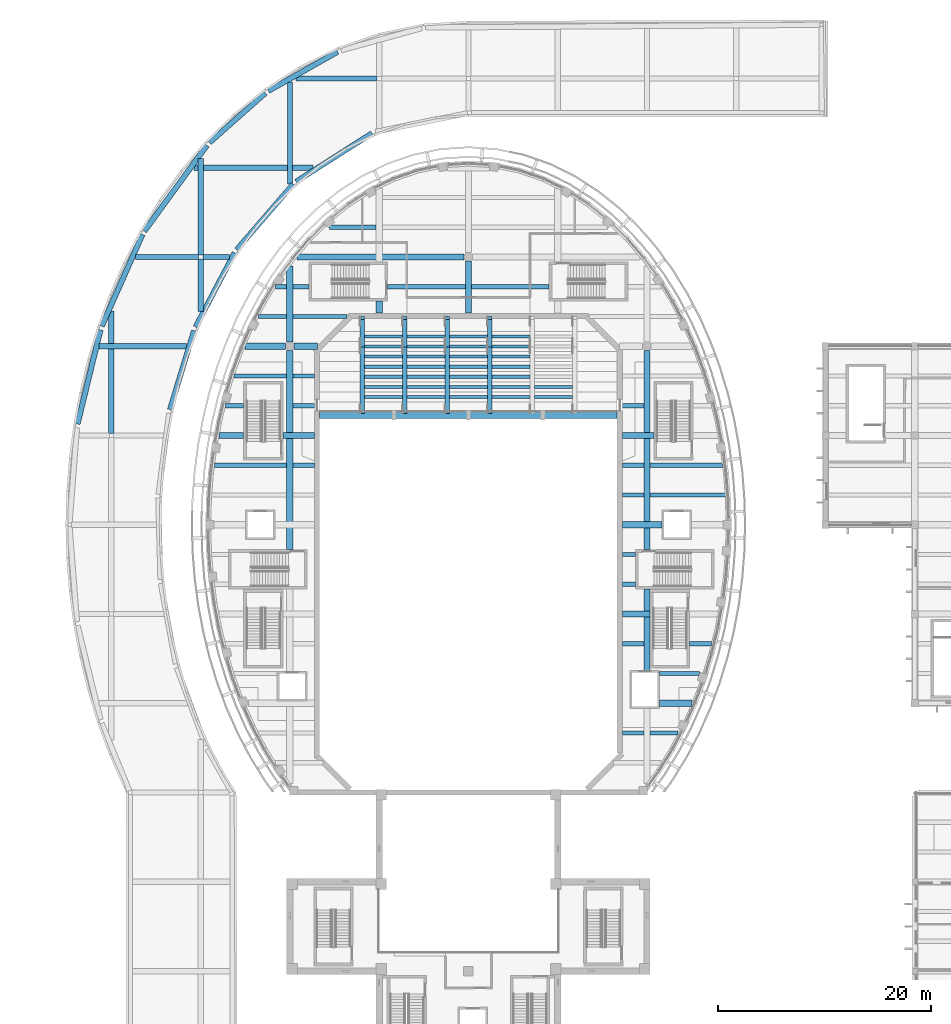
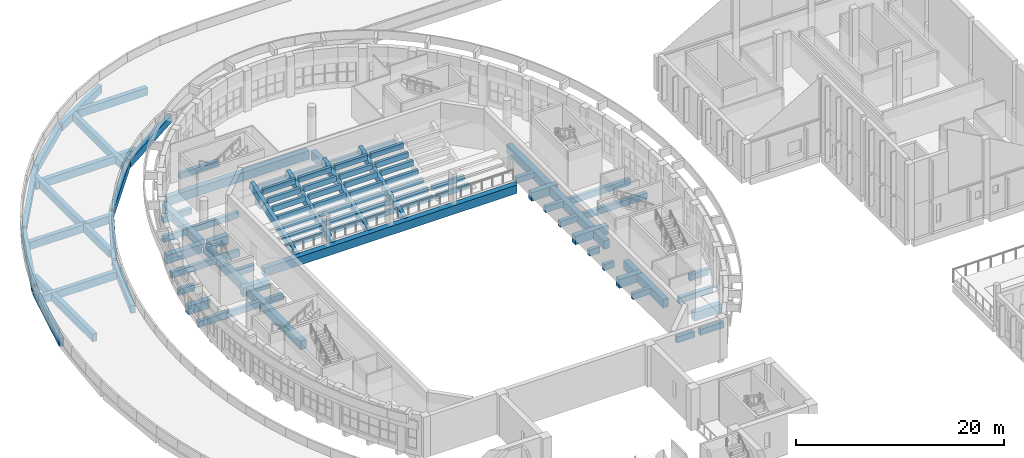
# One storey, part 4 of 79: 97 beams.
"""IFC4 building model written with IfcOpenShell, lengths in metres."""

from ifc_helpers import new_model, si_unit, direction, frame, origin, origin_2d, place, context, subcontext, project, spatial, rectangle, extrude, material, material_profile, profile_set, type_object, element, save


model = new_model("IFC4")

# Units and contexts
model_context = context("Model", 3, precision=1e-05, world=origin(), true_north=direction((0.0, 1.0)))
body_context = subcontext(model_context, "Body", "Model", "MODEL_VIEW")
ifc_project = project(units=[si_unit("LENGTHUNIT", "METRE"), si_unit("AREAUNIT", "SQUARE_METRE"), si_unit("VOLUMEUNIT", "CUBIC_METRE"), si_unit("PLANEANGLEUNIT", "RADIAN"), si_unit("MASSUNIT", "GRAM", prefix="KILO")], contexts=[model_context])

# Site, building, storey
site_placement = place(None, origin())
site = spatial("IfcSite", under=ifc_project, at=site_placement, CompositionType="ELEMENT")
building_placement = place(site_placement, origin())
building = spatial("IfcBuilding", under=site, at=building_placement, Name="Larchfold Concert Hall", CompositionType="ELEMENT")
storey_placement = place(building_placement, frame((0.0, 0.0, 14.39990234375)))
storey = spatial("IfcBuildingStorey", under=building, at=storey_placement, Name="L03", CompositionType="ELEMENT", Elevation=14.39990234375)

# Beams
ifc_material_1 = material(Name="Concrete C35/45", Category="concrete")
ifc_material_profile_1 = material_profile(ifc_material_1, rectangle(XDim=0.300048828125, YDim=0.60009765625, at=origin_2d()))
ifc_profile_set_1 = profile_set([ifc_material_profile_1], Name="Concrete C35/45")
beam_type_1 = type_object("IfcBeamType", Name="Beam RC 300x600", PredefinedType="BEAM", material=ifc_profile_set_1)
for number, where, z_axis, x_axis, name in (
    (1, (32.800048828125, 96.625, -0.02099609375), (1.0, 0.0, 0.0), (0.0, 1.0, 0.0), "Beam B1769"),
    (2, (36.800048828125, 96.625, -0.02099609375), (1.0, 0.0, 0.0), (0.0, 1.0, 0.0), "Beam B1770"),
    (3, (40.800048828125, 96.625, -0.02099609375), (1.0, 0.0, 0.0), (0.0, 1.0, 0.0), "Beam B1771"),
    (4, (44.800048828125, 96.625, -0.02099609375), (1.0, 0.0, 0.0), (0.0, 1.0, 0.0), "Beam B1772"),
    (5, (48.800048828125, 96.625, -0.02099609375), (1.0, 0.0, 0.0), (0.0, 1.0, 0.0), "Beam B1773"),
    (6, (32.800048828125, 97.5751953125, 0.357177734375), (1.0, 0.0, 0.0), (0.0, 1.0, 0.0), "Beam B1774"),
    (7, (36.800048828125, 97.5751953125, 0.357177734375), (1.0, 0.0, 0.0), (0.0, 1.0, 0.0), "Beam B1775"),
    (8, (40.800048828125, 97.5751953125, 0.357177734375), (1.0, 0.0, 0.0), (0.0, 1.0, 0.0), "Beam B1776"),
    (9, (44.800048828125, 97.5751953125, 0.357177734375), (1.0, 0.0, 0.0), (0.0, 1.0, 0.0), "Beam B1777"),
    (10, (48.800048828125, 97.5751953125, 0.357177734375), (1.0, 0.0, 0.0), (0.0, 1.0, 0.0), "Beam B1778"),
    (11, (32.800048828125, 98.52490234375, 0.864990234375), (1.0, 0.0, 0.0), (0.0, 1.0, 0.0), "Beam B1779"),
    (12, (36.800048828125, 98.52490234375, 0.864990234375), (1.0, 0.0, 0.0), (0.0, 1.0, 0.0), "Beam B1780"),
    (13, (40.800048828125, 98.52490234375, 0.864990234375), (1.0, 0.0, 0.0), (0.0, 1.0, 0.0), "Beam B1781"),
    (14, (44.800048828125, 98.52490234375, 0.864990234375), (1.0, 0.0, 0.0), (0.0, 1.0, 0.0), "Beam B1782"),
    (15, (32.800048828125, 99.47509765625, 1.2431640625), (1.0, 0.0, 0.0), (0.0, 1.0, 0.0), "Beam B1784"),
    (16, (36.800048828125, 99.47509765625, 1.2431640625), (1.0, 0.0, 0.0), (0.0, 1.0, 0.0), "Beam B1785"),
    (17, (40.800048828125, 99.47509765625, 1.2431640625), (1.0, 0.0, 0.0), (0.0, 1.0, 0.0), "Beam B1786"),
    (18, (44.800048828125, 99.47509765625, 1.2431640625), (1.0, 0.0, 0.0), (0.0, 1.0, 0.0), "Beam B1787"),
    (19, (32.800048828125, 100.4248046875, 1.760009765625), (1.0, 0.0, 0.0), (0.0, 1.0, 0.0), "Beam B1789"),
    (20, (36.800048828125, 100.4248046875, 1.760009765625), (1.0, 0.0, 0.0), (0.0, 1.0, 0.0), "Beam B1790"),
    (21, (40.800048828125, 100.4248046875, 1.760009765625), (1.0, 0.0, 0.0), (0.0, 1.0, 0.0), "Beam B1791"),
    (22, (44.800048828125, 100.4248046875, 1.760009765625), (1.0, 0.0, 0.0), (0.0, 1.0, 0.0), "Beam B1792"),
    (23, (32.800048828125, 101.375, 2.13720703125), (1.0, 0.0, 0.0), (0.0, 1.0, 0.0), "Beam B1794"),
    (24, (36.800048828125, 101.375, 2.13720703125), (1.0, 0.0, 0.0), (0.0, 1.0, 0.0), "Beam B1795"),
    (25, (40.800048828125, 101.375, 2.13720703125), (1.0, 0.0, 0.0), (0.0, 1.0, 0.0), "Beam B1796"),
    (26, (44.800048828125, 101.375, 2.13720703125), (1.0, 0.0, 0.0), (0.0, 1.0, 0.0), "Beam B1797"),
    (27, (32.800048828125, 102.3251953125, 2.6630859375), (1.0, 0.0, 0.0), (0.0, 1.0, 0.0), "Beam B1799"),
    (28, (36.800048828125, 102.3251953125, 2.6630859375), (1.0, 0.0, 0.0), (0.0, 1.0, 0.0), "Beam B1800"),
    (29, (40.800048828125, 102.3251953125, 2.6630859375), (1.0, 0.0, 0.0), (0.0, 1.0, 0.0), "Beam B1801"),
    (30, (44.800048828125, 102.3251953125, 2.6630859375), (1.0, 0.0, 0.0), (0.0, 1.0, 0.0), "Beam B1802"),
):
    element("IfcBeam", number, at=place(storey_placement, frame(where, z_axis=z_axis, x_axis=x_axis)), inside=storey, type_object=beam_type_1, Name=name, PredefinedType="BEAM", context=body_context, shape_type="SweptSolid", body=[
        extrude(rectangle(XDim=0.300048828125, YDim=0.60009765625, at=origin_2d()), origin(), (0.0, 0.0, 1.0), 3.599853515625),
    ])
ifc_material_2 = material(Name="Concrete C35/45", Category="concrete")
ifc_material_profile_2 = material_profile(ifc_material_2, rectangle(XDim=0.39990234375, YDim=0.699951171875, at=origin_2d()))
ifc_profile_set_2 = profile_set([ifc_material_profile_2], Name="Concrete C35/45")
beam_type_2 = type_object("IfcBeamType", Name="Beam RC 400x700", PredefinedType="BEAM", material=ifc_profile_set_2)
beam_1_placement = place(storey_placement, frame((57.110107421875, 65.0, -0.5498046875), z_axis=(1.0, 0.0, 0.0), x_axis=(0.0, 1.0, 0.0)))
element("IfcBeam", 31, at=beam_1_placement, inside=storey, type_object=beam_type_2, Name="Beam B1392", PredefinedType="BEAM", context=body_context, shape_type="SweptSolid", body=[
    extrude(rectangle(XDim=0.39990234375, YDim=0.699951171875, at=origin_2d()), origin(), (0.0, 0.0, 1.0), 1.989990234375),
])
beam_2_placement = place(storey_placement, frame((59.699951171875, 65.0, -0.5498046875), z_axis=(1.0, 0.0, 0.0), x_axis=(0.0, 1.0, 0.0)))
element("IfcBeam", 32, at=beam_2_placement, inside=storey, type_object=beam_type_2, Name="Beam B1393", PredefinedType="BEAM", context=body_context, shape_type="SweptSolid", body=[
    extrude(rectangle(XDim=0.39990234375, YDim=0.699951171875, at=origin_2d()), origin(), (0.0, 0.0, 1.0), 2.64013671875),
])
beam_3_placement = place(storey_placement, frame((60.60009765625, 70.60009765625, -0.5498046875), z_axis=(1.0, 0.0, 0.0), x_axis=(0.0, 1.0, 0.0)))
element("IfcBeam", 33, at=beam_3_placement, inside=storey, type_object=beam_type_2, Name="Beam B1395", PredefinedType="BEAM", context=body_context, shape_type="SweptSolid", body=[
    extrude(rectangle(XDim=0.39990234375, YDim=0.699951171875, at=origin_2d()), origin(), (0.0, 0.0, 1.0), 3.748779296875),
])
beam_4_placement = place(storey_placement, frame((57.110107421875, 73.39990234375, -0.5498046875), z_axis=(1.0, 0.0, 0.0), x_axis=(0.0, 1.0, 0.0)))
element("IfcBeam", 34, at=beam_4_placement, inside=storey, type_object=beam_type_2, Name="Beam B1398", PredefinedType="BEAM", context=body_context, shape_type="SweptSolid", body=[
    extrude(rectangle(XDim=0.39990234375, YDim=0.699951171875, at=origin_2d()), origin(), (0.0, 0.0, 1.0), 1.989990234375),
])
beam_5_placement = place(storey_placement, frame((63.39990234375, 73.39990234375, -0.5498046875), z_axis=(1.0, 0.0, 0.0), x_axis=(0.0, 1.0, 0.0)))
element("IfcBeam", 35, at=beam_5_placement, inside=storey, type_object=beam_type_2, Name="Beam B1399", PredefinedType="BEAM", context=body_context, shape_type="SweptSolid", body=[
    extrude(rectangle(XDim=0.39990234375, YDim=0.699951171875, at=origin_2d()), origin(), (0.0, 0.0, 1.0), 2.0791015625),
])
for number, where, z_axis, x_axis, name in (
    (36, (57.110107421875, 79.0, -0.5498046875), (1.0, 0.0, 0.0), (0.0, 1.0, 0.0), "Beam B1401"),
    (37, (57.110107421875, 81.800048828125, -0.5498046875), (1.0, 0.0, 0.0), (0.0, 1.0, 0.0), "Beam B1403"),
):
    element("IfcBeam", number, at=place(storey_placement, frame(where, z_axis=z_axis, x_axis=x_axis)), inside=storey, type_object=beam_type_2, Name=name, PredefinedType="BEAM", context=body_context, shape_type="SweptSolid", body=[
        extrude(rectangle(XDim=0.39990234375, YDim=0.699951171875, at=origin_2d()), origin(), (0.0, 0.0, 1.0), 1.18994140625),
    ])
beam_6_placement = place(storey_placement, frame((57.110107421875, 87.39990234375, -0.5498046875), z_axis=(1.0, 0.0, 0.0), x_axis=(0.0, 1.0, 0.0)))
element("IfcBeam", 38, at=beam_6_placement, inside=storey, type_object=beam_type_2, Name="Beam B1406", PredefinedType="BEAM", context=body_context, shape_type="SweptSolid", body=[
    extrude(rectangle(XDim=0.39990234375, YDim=0.699951171875, at=origin_2d()), origin(), (0.0, 0.0, 1.0), 1.989990234375),
])
beam_7_placement = place(storey_placement, frame((59.699951171875, 87.39990234375, -0.5498046875), z_axis=(1.0, 0.0, 0.0), x_axis=(0.0, 1.0, 0.0)))
element("IfcBeam", 39, at=beam_7_placement, inside=storey, type_object=beam_type_2, Name="Beam B1407", PredefinedType="BEAM", context=body_context, shape_type="SweptSolid", body=[
    extrude(rectangle(XDim=0.39990234375, YDim=0.699951171875, at=origin_2d()), origin(), (0.0, 0.0, 1.0), 7.078125),
])
beam_8_placement = place(storey_placement, frame((18.680419921875, 90.199951171875, -0.5498046875), z_axis=(1.0, 0.0, 0.0), x_axis=(0.0, 1.0, 0.0)))
element("IfcBeam", 40, at=beam_8_placement, inside=storey, type_object=beam_type_2, Name="Beam B1408", PredefinedType="BEAM", context=body_context, shape_type="SweptSolid", body=[
    extrude(rectangle(XDim=0.39990234375, YDim=0.699951171875, at=origin_2d()), origin(), (0.0, 0.0, 1.0), 6.819580078125),
])
for number, where, z_axis, x_axis, name in (
    (41, (26.10009765625, 90.199951171875, -0.5498046875), (1.0, 0.0, 0.0), (0.0, 1.0, 0.0), "Beam B1409"),
    (42, (57.110107421875, 90.199951171875, -0.5498046875), (1.0, 0.0, 0.0), (0.0, 1.0, 0.0), "Beam B1410"),
):
    element("IfcBeam", number, at=place(storey_placement, frame(where, z_axis=z_axis, x_axis=x_axis)), inside=storey, type_object=beam_type_2, Name=name, PredefinedType="BEAM", context=body_context, shape_type="SweptSolid", body=[
        extrude(rectangle(XDim=0.39990234375, YDim=0.699951171875, at=origin_2d()), origin(), (0.0, 0.0, 1.0), 1.989990234375),
    ])
beam_9_placement = place(storey_placement, frame((59.699951171875, 90.199951171875, -0.5498046875), z_axis=(1.0, 0.0, 0.0), x_axis=(0.0, 1.0, 0.0)))
element("IfcBeam", 43, at=beam_9_placement, inside=storey, type_object=beam_type_2, Name="Beam B1411", PredefinedType="BEAM", context=body_context, shape_type="SweptSolid", body=[
    extrude(rectangle(XDim=0.39990234375, YDim=0.699951171875, at=origin_2d()), origin(), (0.0, 0.0, 1.0), 6.81982421875),
])
beam_10_placement = place(storey_placement, frame((19.72021484375, 95.800048828125, -0.5498046875), z_axis=(1.0, 0.0, 0.0), x_axis=(0.0, 1.0, 0.0)))
element("IfcBeam", 44, at=beam_10_placement, inside=storey, type_object=beam_type_2, Name="Beam B1412", PredefinedType="BEAM", context=body_context, shape_type="SweptSolid", body=[
    extrude(rectangle(XDim=0.39990234375, YDim=0.699951171875, at=origin_2d()), origin(), (0.0, 0.0, 1.0), 1.729736328125),
])
for number, where, z_axis, x_axis, name in (
    (45, (26.10009765625, 95.800048828125, -0.5498046875), (1.0, 0.0, 0.0), (0.0, 1.0, 0.0), "Beam B1413"),
    (46, (57.110107421875, 95.800048828125, -0.5498046875), (1.0, 0.0, 0.0), (0.0, 1.0, 0.0), "Beam B1414"),
):
    element("IfcBeam", number, at=place(storey_placement, frame(where, z_axis=z_axis, x_axis=x_axis)), inside=storey, type_object=beam_type_2, Name=name, PredefinedType="BEAM", context=body_context, shape_type="SweptSolid", body=[
        extrude(rectangle(XDim=0.39990234375, YDim=0.699951171875, at=origin_2d()), origin(), (0.0, 0.0, 1.0), 1.989990234375),
    ])
beam_11_placement = place(storey_placement, frame((20.523681640625, 98.60009765625, -0.5498046875), z_axis=(1.0, 0.0, 0.0), x_axis=(0.0, 1.0, 0.0)))
element("IfcBeam", 47, at=beam_11_placement, inside=storey, type_object=beam_type_2, Name="Beam B1416", PredefinedType="BEAM", context=body_context, shape_type="SweptSolid", body=[
    extrude(rectangle(XDim=0.39990234375, YDim=0.699951171875, at=origin_2d()), origin(), (0.0, 0.0, 1.0), 4.976318359375),
])
beam_12_placement = place(storey_placement, frame((26.10009765625, 98.60009765625, -0.5498046875), z_axis=(1.0, 0.0, 0.0), x_axis=(0.0, 1.0, 0.0)))
element("IfcBeam", 48, at=beam_12_placement, inside=storey, type_object=beam_type_2, Name="Beam B1417", PredefinedType="BEAM", context=body_context, shape_type="SweptSolid", body=[
    extrude(rectangle(XDim=0.39990234375, YDim=0.699951171875, at=origin_2d()), origin(), (0.0, 0.0, 1.0), 1.989990234375),
])
beam_13_placement = place(storey_placement, frame((22.86083984375, 104.199951171875, -0.5498046875), z_axis=(1.0, 0.0, 0.0), x_axis=(0.0, 1.0, 0.0)))
element("IfcBeam", 49, at=beam_13_placement, inside=storey, type_object=beam_type_2, Name="Beam B1420", PredefinedType="BEAM", context=body_context, shape_type="SweptSolid", body=[
    extrude(rectangle(XDim=0.39990234375, YDim=0.699951171875, at=origin_2d()), origin(), (0.0, 0.0, 1.0), 2.63916015625),
])
beam_14_placement = place(storey_placement, frame((26.10009765625, 104.199951171875, -0.5498046875), z_axis=(1.0, 0.0, 0.0), x_axis=(0.0, 1.0, 0.0)))
element("IfcBeam", 50, at=beam_14_placement, inside=storey, type_object=beam_type_2, Name="Beam B1421", PredefinedType="BEAM", context=body_context, shape_type="SweptSolid", body=[
    extrude(rectangle(XDim=0.39990234375, YDim=0.699951171875, at=origin_2d()), origin(), (0.0, 0.0, 1.0), 5.085693359375),
])
beam_15_placement = place(storey_placement, frame((24.462158203125, 107.0, -0.5498046875), z_axis=(1.0, 0.0, 0.0), x_axis=(0.0, 1.0, 0.0)))
element("IfcBeam", 51, at=beam_15_placement, inside=storey, type_object=beam_type_2, Name="Beam B1424", PredefinedType="BEAM", context=body_context, shape_type="SweptSolid", body=[
    extrude(rectangle(XDim=0.39990234375, YDim=0.699951171875, at=origin_2d()), origin(), (0.0, 0.0, 1.0), 1.037841796875),
])
beam_16_placement = place(storey_placement, frame((26.10009765625, 107.0, -0.5498046875), z_axis=(1.0, 0.0, 0.0), x_axis=(0.0, 1.0, 0.0)))
element("IfcBeam", 52, at=beam_16_placement, inside=storey, type_object=beam_type_2, Name="Beam B1425", PredefinedType="BEAM", context=body_context, shape_type="SweptSolid", body=[
    extrude(rectangle(XDim=0.39990234375, YDim=0.699951171875, at=origin_2d()), origin(), (0.0, 0.0, 1.0), 1.5),
])
for number, where, z_axis, x_axis, name in (
    (53, (35.0, 107.0, -0.5498046875), (1.0, 0.0, 0.0), (0.0, 1.0, 0.0), "Beam B1426"),
    (54, (42.89990234375, 107.0, -0.5498046875), (1.0, 0.0, 0.0), (0.0, 1.0, 0.0), "Beam B1427"),
):
    element("IfcBeam", number, at=place(storey_placement, frame(where, z_axis=z_axis, x_axis=x_axis)), inside=storey, type_object=beam_type_2, Name=name, PredefinedType="BEAM", context=body_context, shape_type="SweptSolid", body=[
        extrude(rectangle(XDim=0.39990234375, YDim=0.699951171875, at=origin_2d()), origin(), (0.0, 0.0, 1.0), 7.300048828125),
    ])
beam_17_placement = place(storey_placement, frame((29.50439453125, 112.60009765625, -0.5498046875), z_axis=(1.0, 0.0, 0.0), x_axis=(0.0, 1.0, 0.0)))
element("IfcBeam", 55, at=beam_17_placement, inside=storey, type_object=beam_type_2, Name="Beam B1430", PredefinedType="BEAM", context=body_context, shape_type="SweptSolid", body=[
    extrude(rectangle(XDim=0.39990234375, YDim=0.699951171875, at=origin_2d()), origin(), (0.0, 0.0, 1.0), 4.3955078125),
])
ifc_material_3 = material(Name="Concrete C35/45", Category="concrete")
ifc_material_profile_3 = material_profile(ifc_material_3, rectangle(XDim=0.39990234375, YDim=0.800048828125, at=origin_2d()))
ifc_profile_set_3 = profile_set([ifc_material_profile_3], Name="Concrete C35/45")
beam_type_3 = type_object("IfcBeamType", Name="Beam RC 400x800", PredefinedType="BEAM", material=ifc_profile_set_3)
beam_18_placement = place(storey_placement, frame((32.60009765625, 95.199951171875, -0.619873046875), z_axis=(0.0, 0.940992796886, 0.338426589099), x_axis=(-1.0, 0.0, 0.0)))
element("IfcBeam", 56, at=beam_18_placement, inside=storey, type_object=beam_type_3, Name="Beam RK1757", PredefinedType="BEAM", context=body_context, shape_type="SweptSolid", body=[
    extrude(rectangle(XDim=0.39990234375, YDim=0.800048828125, at=origin_2d()), origin(), (0.0, 0.0, 1.0), 6.641845703125),
])
beam_19_placement = place(storey_placement, frame((32.60009765625, 101.449951171875, 1.6279296875), z_axis=(0.0, 0.940999996004, 0.338406571333), x_axis=(-1.0, 0.0, 0.0)))
element("IfcBeam", 57, at=beam_19_placement, inside=storey, type_object=beam_type_3, Name="Beam RK1758", PredefinedType="BEAM", context=body_context, shape_type="SweptSolid", body=[
    extrude(rectangle(XDim=0.39990234375, YDim=0.800048828125, at=origin_2d()), origin(), (0.0, 0.0, 1.0), 2.76318359375),
])
beam_20_placement = place(storey_placement, frame((36.60009765625, 95.199951171875, -0.619873046875), z_axis=(0.0, 0.940992796886, 0.338426589099), x_axis=(-1.0, 0.0, 0.0)))
element("IfcBeam", 58, at=beam_20_placement, inside=storey, type_object=beam_type_3, Name="Beam RK1759", PredefinedType="BEAM", context=body_context, shape_type="SweptSolid", body=[
    extrude(rectangle(XDim=0.39990234375, YDim=0.800048828125, at=origin_2d()), origin(), (0.0, 0.0, 1.0), 6.641845703125),
])
beam_21_placement = place(storey_placement, frame((36.60009765625, 101.449951171875, 1.6279296875), z_axis=(0.0, 0.940999996004, 0.338406571333), x_axis=(-1.0, 0.0, 0.0)))
element("IfcBeam", 59, at=beam_21_placement, inside=storey, type_object=beam_type_3, Name="Beam RK1760", PredefinedType="BEAM", context=body_context, shape_type="SweptSolid", body=[
    extrude(rectangle(XDim=0.39990234375, YDim=0.800048828125, at=origin_2d()), origin(), (0.0, 0.0, 1.0), 2.76318359375),
])
beam_22_placement = place(storey_placement, frame((40.60009765625, 95.199951171875, -0.619873046875), z_axis=(0.0, 0.940992796886, 0.338426589099), x_axis=(-1.0, 0.0, 0.0)))
element("IfcBeam", 60, at=beam_22_placement, inside=storey, type_object=beam_type_3, Name="Beam RK1761", PredefinedType="BEAM", context=body_context, shape_type="SweptSolid", body=[
    extrude(rectangle(XDim=0.39990234375, YDim=0.800048828125, at=origin_2d()), origin(), (0.0, 0.0, 1.0), 6.641845703125),
])
beam_23_placement = place(storey_placement, frame((40.60009765625, 101.449951171875, 1.6279296875), z_axis=(0.0, 0.940999996004, 0.338406571333), x_axis=(-1.0, 0.0, 0.0)))
element("IfcBeam", 61, at=beam_23_placement, inside=storey, type_object=beam_type_3, Name="Beam RK1762", PredefinedType="BEAM", context=body_context, shape_type="SweptSolid", body=[
    extrude(rectangle(XDim=0.39990234375, YDim=0.800048828125, at=origin_2d()), origin(), (0.0, 0.0, 1.0), 2.76318359375),
])
beam_24_placement = place(storey_placement, frame((44.60009765625, 95.199951171875, -0.619873046875), z_axis=(0.0, 0.940992796886, 0.338426589099), x_axis=(-1.0, 0.0, 0.0)))
element("IfcBeam", 62, at=beam_24_placement, inside=storey, type_object=beam_type_3, Name="Beam RK1763", PredefinedType="BEAM", context=body_context, shape_type="SweptSolid", body=[
    extrude(rectangle(XDim=0.39990234375, YDim=0.800048828125, at=origin_2d()), origin(), (0.0, 0.0, 1.0), 6.641845703125),
])
beam_25_placement = place(storey_placement, frame((44.60009765625, 101.449951171875, 1.6279296875), z_axis=(0.0, 0.940999996004, 0.338406571333), x_axis=(-1.0, 0.0, 0.0)))
element("IfcBeam", 63, at=beam_25_placement, inside=storey, type_object=beam_type_3, Name="Beam RK1764", PredefinedType="BEAM", context=body_context, shape_type="SweptSolid", body=[
    extrude(rectangle(XDim=0.39990234375, YDim=0.800048828125, at=origin_2d()), origin(), (0.0, 0.0, 1.0), 2.76318359375),
])
ifc_material_4 = material(Name="Concrete C35/45", Category="concrete")
ifc_material_profile_4 = material_profile(ifc_material_4, rectangle(XDim=0.5, YDim=0.89990234375, at=origin_2d()))
ifc_profile_set_4 = profile_set([ifc_material_profile_4], Name="Concrete C35/45")
beam_type_4 = type_object("IfcBeamType", Name="Beam RC 500x900", PredefinedType="BEAM", material=ifc_profile_set_4)
beam_26_placement = place(storey_placement, frame((5.815673828125, 94.0859375, -0.599853515625), z_axis=(0.236818127941, 0.971553999672, 0.0), x_axis=(-0.971553999672, 0.236818127941, 0.0)))
element("IfcBeam", 64, at=beam_26_placement, inside=storey, type_object=beam_type_4, Name="Beam B2012", PredefinedType="BEAM", context=body_context, shape_type="SweptSolid", body=[
    extrude(rectangle(XDim=0.5, YDim=0.89990234375, at=origin_2d()), origin(), (0.0, 0.0, 1.0), 9.11962890625),
])
beam_27_placement = place(storey_placement, frame((8.091064453125, 103.285400390625, -0.599853515625), z_axis=(0.405703980485, 0.914004529649, 0.0), x_axis=(-0.914004529649, 0.405703980485, 0.0)))
element("IfcBeam", 65, at=beam_27_placement, inside=storey, type_object=beam_type_4, Name="Beam B2013", PredefinedType="BEAM", context=body_context, shape_type="SweptSolid", body=[
    extrude(rectangle(XDim=0.5, YDim=0.89990234375, at=origin_2d()), origin(), (0.0, 0.0, 1.0), 9.4375),
])
beam_28_placement = place(storey_placement, frame((12.09912109375, 112.221435546875, -0.599853515625), z_axis=(0.589273117299, 0.807933903998, 0.0), x_axis=(-0.807933903998, 0.589273117299, 0.0)))
element("IfcBeam", 66, at=beam_28_placement, inside=storey, type_object=beam_type_4, Name="Beam B2014", PredefinedType="BEAM", context=body_context, shape_type="SweptSolid", body=[
    extrude(rectangle(XDim=0.5, YDim=0.89990234375, at=origin_2d()), origin(), (0.0, 0.0, 1.0), 9.99853515625),
])
beam_29_placement = place(storey_placement, frame((18.231689453125, 120.564453125, -0.599853515625), z_axis=(0.748367728806, 0.663284058667, 0.0), x_axis=(-0.663284058667, 0.748367728806, 0.0)))
element("IfcBeam", 67, at=beam_29_placement, inside=storey, type_object=beam_type_4, Name="Beam B2015", PredefinedType="BEAM", context=body_context, shape_type="SweptSolid", body=[
    extrude(rectangle(XDim=0.5, YDim=0.89990234375, at=origin_2d()), origin(), (0.0, 0.0, 1.0), 7.021484375),
])
beam_30_placement = place(storey_placement, frame((23.777587890625, 125.4296875, -0.599853515625), z_axis=(0.870516616104, 0.492139026178, 0.0), x_axis=(-0.492139026178, 0.870516616104, 0.0)))
element("IfcBeam", 68, at=beam_30_placement, inside=storey, type_object=beam_type_4, Name="Beam B2016", PredefinedType="BEAM", context=body_context, shape_type="SweptSolid", body=[
    extrude(rectangle(XDim=0.5, YDim=0.89990234375, at=origin_2d()), origin(), (0.0, 0.0, 1.0), 7.476806640625),
])
beam_31_placement = place(storey_placement, frame((33.524169921875, 121.438232421875, -0.599853515625), z_axis=(-0.843143754016, -0.537688208968, 0.0), x_axis=(0.537688208968, -0.843143754016, 0.0)))
element("IfcBeam", 69, at=beam_31_placement, inside=storey, type_object=beam_type_4, Name="Beam B2022", PredefinedType="BEAM", context=body_context, shape_type="SweptSolid", body=[
    extrude(rectangle(XDim=0.5, YDim=0.89990234375, at=origin_2d()), origin(), (0.0, 0.0, 1.0), 8.47216796875),
])
beam_32_placement = place(storey_placement, frame((26.111328125, 116.649658203125, -0.599853515625), z_axis=(-0.653172217955, -0.757209385634, 0.0), x_axis=(0.757209385634, -0.653172217955, 0.0)))
element("IfcBeam", 70, at=beam_32_placement, inside=storey, type_object=beam_type_4, Name="Beam B2023", PredefinedType="BEAM", context=body_context, shape_type="SweptSolid", body=[
    extrude(rectangle(XDim=0.5, YDim=0.89990234375, at=origin_2d()), origin(), (0.0, 0.0, 1.0), 8.13818359375),
])
beam_33_placement = place(storey_placement, frame((20.59423828125, 110.191650390625, -0.599853515625), z_axis=(-0.465082779944, -0.885267195709, 0.0), x_axis=(0.885267195709, -0.465082779944, 0.0)))
element("IfcBeam", 71, at=beam_33_placement, inside=storey, type_object=beam_type_4, Name="Beam B2024", PredefinedType="BEAM", context=body_context, shape_type="SweptSolid", body=[
    extrude(rectangle(XDim=0.5, YDim=0.89990234375, at=origin_2d()), origin(), (0.0, 0.0, 1.0), 7.90087890625),
])
beam_34_placement = place(storey_placement, frame((16.783447265625, 102.86572265625, -0.599853515625), z_axis=(-0.291699820091, -0.956509913675, 0.0), x_axis=(0.956509913675, -0.291699820091, 0.0)))
element("IfcBeam", 72, at=beam_34_placement, inside=storey, type_object=beam_type_4, Name="Beam B2025", PredefinedType="BEAM", context=body_context, shape_type="SweptSolid", body=[
    extrude(rectangle(XDim=0.5, YDim=0.89990234375, at=origin_2d()), origin(), (0.0, 0.0, 1.0), 7.76123046875),
])
beam_35_placement = place(storey_placement, frame((9.0, 93.199951171875, -0.599853515625), z_axis=(0.0, 1.0, 0.0), x_axis=(-1.0, 0.0, 0.0)))
element("IfcBeam", 73, at=beam_35_placement, inside=storey, type_object=beam_type_4, Name="Beam B2033", PredefinedType="BEAM", context=body_context, shape_type="SweptSolid", body=[
    extrude(rectangle(XDim=0.5, YDim=0.89990234375, at=origin_2d()), origin(), (0.0, 0.0, 1.0), 11.51708984375),
])
beam_36_placement = place(storey_placement, frame((17.39990234375, 104.649169921875, -0.599853515625), z_axis=(0.0, 1.0, 0.0), x_axis=(-1.0, 0.0, 0.0)))
element("IfcBeam", 74, at=beam_36_placement, inside=storey, type_object=beam_type_4, Name="Beam B2036", PredefinedType="BEAM", context=body_context, shape_type="SweptSolid", body=[
    extrude(rectangle(XDim=0.5, YDim=0.89990234375, at=origin_2d()), origin(), (0.0, 0.0, 1.0), 4.950927734375),
])
beam_37_placement = place(storey_placement, frame((17.39990234375, 110.0, -0.599853515625), z_axis=(0.0, 1.0, 0.0), x_axis=(-1.0, 0.0, 0.0)))
element("IfcBeam", 75, at=beam_37_placement, inside=storey, type_object=beam_type_4, Name="Beam B2037", PredefinedType="BEAM", context=body_context, shape_type="SweptSolid", body=[
    extrude(rectangle(XDim=0.5, YDim=0.89990234375, at=origin_2d()), origin(), (0.0, 0.0, 1.0), 9.065185546875),
])
beam_38_placement = place(storey_placement, frame((25.800048828125, 116.67138671875, -0.599853515625), z_axis=(0.0, 1.0, 0.0), x_axis=(-1.0, 0.0, 0.0)))
element("IfcBeam", 76, at=beam_38_placement, inside=storey, type_object=beam_type_4, Name="Beam B2038", PredefinedType="BEAM", context=body_context, shape_type="SweptSolid", body=[
    extrude(rectangle(XDim=0.5, YDim=0.89990234375, at=origin_2d()), origin(), (0.0, 0.0, 1.0), 9.6142578125),
])
beam_39_placement = place(storey_placement, frame((7.855712890625, 101.39990234375, -0.599853515625), z_axis=(1.0, 0.0, 0.0), x_axis=(0.0, 1.0, 0.0)))
element("IfcBeam", 77, at=beam_39_placement, inside=storey, type_object=beam_type_4, Name="Beam B2059", PredefinedType="BEAM", context=body_context, shape_type="SweptSolid", body=[
    extrude(rectangle(XDim=0.5, YDim=0.89990234375, at=origin_2d()), origin(), (0.0, 0.0, 1.0), 8.219482421875),
])
beam_40_placement = place(storey_placement, frame((11.25634765625, 109.800048828125, -0.599853515625), z_axis=(1.0, 0.0, 0.0), x_axis=(0.0, 1.0, 0.0)))
element("IfcBeam", 78, at=beam_40_placement, inside=storey, type_object=beam_type_4, Name="Beam B2060", PredefinedType="BEAM", context=body_context, shape_type="SweptSolid", body=[
    extrude(rectangle(XDim=0.5, YDim=0.89990234375, at=origin_2d()), origin(), (0.0, 0.0, 1.0), 5.943603515625),
])
beam_41_placement = place(storey_placement, frame((17.60009765625, 109.800048828125, -0.599853515625), z_axis=(1.0, 0.0, 0.0), x_axis=(0.0, 1.0, 0.0)))
element("IfcBeam", 79, at=beam_41_placement, inside=storey, type_object=beam_type_4, Name="Beam B2061", PredefinedType="BEAM", context=body_context, shape_type="SweptSolid", body=[
    extrude(rectangle(XDim=0.5, YDim=0.89990234375, at=origin_2d()), origin(), (0.0, 0.0, 1.0), 2.506103515625),
])
beam_42_placement = place(storey_placement, frame((16.76904296875, 118.199951171875, -0.599853515625), z_axis=(1.0, 0.0, 0.0), x_axis=(0.0, 1.0, 0.0)))
element("IfcBeam", 80, at=beam_42_placement, inside=storey, type_object=beam_type_4, Name="Beam B2062", PredefinedType="BEAM", context=body_context, shape_type="SweptSolid", body=[
    extrude(rectangle(XDim=0.5, YDim=0.89990234375, at=origin_2d()), origin(), (0.0, 0.0, 1.0), 11.21240234375),
])
beam_43_placement = place(storey_placement, frame((26.355712890625, 126.60009765625, -0.599853515625), z_axis=(1.0, 0.0, 0.0), x_axis=(0.0, 1.0, 0.0)))
element("IfcBeam", 81, at=beam_43_placement, inside=storey, type_object=beam_type_4, Name="Beam B2063", PredefinedType="BEAM", context=body_context, shape_type="SweptSolid", body=[
    extrude(rectangle(XDim=0.5, YDim=0.89990234375, at=origin_2d()), origin(), (0.0, 0.0, 1.0), 7.644287109375),
])
ifc_material_5 = material(Name="Concrete C35/45", Category="concrete")
ifc_material_profile_5 = material_profile(ifc_material_5, rectangle(XDim=0.60009765625, YDim=1.0, at=origin_2d()))
ifc_profile_set_5 = profile_set([ifc_material_profile_5], Name="Concrete C35/45")
beam_type_5 = type_object("IfcBeamType", Name="Beam RC 600x1000", PredefinedType="BEAM", material=ifc_profile_set_5)
beam_44_placement = place(storey_placement, frame((25.800048828125, 82.25, -0.699951171875), z_axis=(0.0, 1.0, 0.0), x_axis=(-1.0, 0.0, 0.0)))
element("IfcBeam", 82, at=beam_44_placement, inside=storey, type_object=beam_type_5, Name="Beam B1353", PredefinedType="BEAM", context=body_context, shape_type="SweptSolid", body=[
    extrude(rectangle(XDim=0.60009765625, YDim=1.0, at=origin_2d()), origin(), (0.0, 0.0, 1.0), 18.751708984375),
])
beam_45_placement = place(storey_placement, frame((25.800048828125, 101.79833984375, -0.699951171875), z_axis=(0.0, 1.0, 0.0), x_axis=(-1.0, 0.0, 0.0)))
element("IfcBeam", 83, at=beam_45_placement, inside=storey, type_object=beam_type_5, Name="Beam B1354", PredefinedType="BEAM", context=body_context, shape_type="SweptSolid", body=[
    extrude(rectangle(XDim=0.60009765625, YDim=1.0, at=origin_2d()), origin(), (0.0, 0.0, 1.0), 7.134521484375),
])
beam_46_placement = place(storey_placement, frame((34.199951171875, 104.510009765625, -0.699951171875), z_axis=(0.0, 1.0, 0.0), x_axis=(-1.0, 0.0, 0.0)))
element("IfcBeam", 84, at=beam_46_placement, inside=storey, type_object=beam_type_5, Name="Beam B1355", PredefinedType="BEAM", context=body_context, shape_type="SweptSolid", body=[
    extrude(rectangle(XDim=0.60009765625, YDim=1.0, at=origin_2d()), origin(), (0.0, 0.0, 1.0), 1.139892578125),
])
beam_47_placement = place(storey_placement, frame((42.60009765625, 104.510009765625, -0.699951171875), z_axis=(0.0, 1.0, 0.0), x_axis=(-1.0, 0.0, 0.0)))
element("IfcBeam", 85, at=beam_47_placement, inside=storey, type_object=beam_type_5, Name="Beam B1357", PredefinedType="BEAM", context=body_context, shape_type="SweptSolid", body=[
    extrude(rectangle(XDim=0.60009765625, YDim=1.0, at=origin_2d()), origin(), (0.0, 0.0, 1.0), 4.8916015625),
])
beam_48_placement = place(storey_placement, frame((59.39990234375, 70.89990234375, -0.699951171875), z_axis=(0.0, 1.0, 0.0), x_axis=(-1.0, 0.0, 0.0)))
element("IfcBeam", 86, at=beam_48_placement, inside=storey, type_object=beam_type_5, Name="Beam B1362", PredefinedType="BEAM", context=body_context, shape_type="SweptSolid", body=[
    extrude(rectangle(XDim=0.60009765625, YDim=1.0, at=origin_2d()), origin(), (0.0, 0.0, 1.0), 7.650146484375),
])
beam_49_placement = place(storey_placement, frame((59.39990234375, 82.25, -0.699951171875), z_axis=(0.0, 1.0, 0.0), x_axis=(-1.0, 0.0, 0.0)))
element("IfcBeam", 87, at=beam_49_placement, inside=storey, type_object=beam_type_5, Name="Beam B1363", PredefinedType="BEAM", context=body_context, shape_type="SweptSolid", body=[
    extrude(rectangle(XDim=0.60009765625, YDim=1.0, at=origin_2d()), origin(), (0.0, 0.0, 1.0), 18.751708984375),
])
beam_50_placement = place(storey_placement, frame((60.60009765625, 67.800048828125, -0.699951171875), z_axis=(1.0, 0.0, 0.0), x_axis=(0.0, 1.0, 0.0)))
element("IfcBeam", 88, at=beam_50_placement, inside=storey, type_object=beam_type_5, Name="Beam B1366", PredefinedType="BEAM", context=body_context, shape_type="SweptSolid", body=[
    extrude(rectangle(XDim=0.60009765625, YDim=1.0, at=origin_2d()), origin(), (0.0, 0.0, 1.0), 3.04638671875),
])
beam_51_placement = place(storey_placement, frame((57.110107421875, 76.199951171875, -0.699951171875), z_axis=(1.0, 0.0, 0.0), x_axis=(0.0, 1.0, 0.0)))
element("IfcBeam", 89, at=beam_51_placement, inside=storey, type_object=beam_type_5, Name="Beam B1369", PredefinedType="BEAM", context=body_context, shape_type="SweptSolid", body=[
    extrude(rectangle(XDim=0.60009765625, YDim=1.0, at=origin_2d()), origin(), (0.0, 0.0, 1.0), 2.58984375),
])
beam_52_placement = place(storey_placement, frame((57.110107421875, 84.60009765625, -0.699951171875), z_axis=(1.0, 0.0, 0.0), x_axis=(0.0, 1.0, 0.0)))
element("IfcBeam", 90, at=beam_52_placement, inside=storey, type_object=beam_type_5, Name="Beam B1373", PredefinedType="BEAM", context=body_context, shape_type="SweptSolid", body=[
    extrude(rectangle(XDim=0.60009765625, YDim=1.0, at=origin_2d()), origin(), (0.0, 0.0, 1.0), 3.68994140625),
])
beam_53_placement = place(storey_placement, frame((19.1103515625, 93.0, -0.699951171875), z_axis=(1.0, 0.0, 0.0), x_axis=(0.0, 1.0, 0.0)))
element("IfcBeam", 91, at=beam_53_placement, inside=storey, type_object=beam_type_5, Name="Beam B1375", PredefinedType="BEAM", context=body_context, shape_type="SweptSolid", body=[
    extrude(rectangle(XDim=0.60009765625, YDim=1.0, at=origin_2d()), origin(), (0.0, 0.0, 1.0), 2.339599609375),
])
beam_54_placement = place(storey_placement, frame((25.14990234375, 93.0, -0.699951171875), z_axis=(1.0, 0.0, 0.0), x_axis=(0.0, 1.0, 0.0)))
element("IfcBeam", 92, at=beam_54_placement, inside=storey, type_object=beam_type_5, Name="Beam B1376", PredefinedType="BEAM", context=body_context, shape_type="SweptSolid", body=[
    extrude(rectangle(XDim=0.60009765625, YDim=1.0, at=origin_2d()), origin(), (0.0, 0.0, 1.0), 2.940185546875),
])
beam_55_placement = place(storey_placement, frame((57.110107421875, 93.0, -0.699951171875), z_axis=(1.0, 0.0, 0.0), x_axis=(0.0, 1.0, 0.0)))
element("IfcBeam", 93, at=beam_55_placement, inside=storey, type_object=beam_type_5, Name="Beam B1377", PredefinedType="BEAM", context=body_context, shape_type="SweptSolid", body=[
    extrude(rectangle(XDim=0.60009765625, YDim=1.0, at=origin_2d()), origin(), (0.0, 0.0, 1.0), 2.93994140625),
])
beam_56_placement = place(storey_placement, frame((21.556884765625, 101.39990234375, -0.699951171875), z_axis=(1.0, 0.0, 0.0), x_axis=(0.0, 1.0, 0.0)))
element("IfcBeam", 94, at=beam_56_placement, inside=storey, type_object=beam_type_5, Name="Beam B1379", PredefinedType="BEAM", context=body_context, shape_type="SweptSolid", body=[
    extrude(rectangle(XDim=0.60009765625, YDim=1.0, at=origin_2d()), origin(), (0.0, 0.0, 1.0), 3.8447265625),
])
beam_57_placement = place(storey_placement, frame((26.1982421875, 101.39990234375, -0.699951171875), z_axis=(1.0, 0.0, 0.0), x_axis=(0.0, 1.0, 0.0)))
element("IfcBeam", 95, at=beam_57_placement, inside=storey, type_object=beam_type_5, Name="Beam B1380", PredefinedType="BEAM", context=body_context, shape_type="SweptSolid", body=[
    extrude(rectangle(XDim=0.60009765625, YDim=1.0, at=origin_2d()), origin(), (0.0, 0.0, 1.0), 2.1875),
])
beam_58_placement = place(storey_placement, frame((26.464111328125, 109.800048828125, -0.699951171875), z_axis=(1.0, 0.0, 0.0), x_axis=(0.0, 1.0, 0.0)))
element("IfcBeam", 96, at=beam_58_placement, inside=storey, type_object=beam_type_5, Name="Beam B1383", PredefinedType="BEAM", context=body_context, shape_type="SweptSolid", body=[
    extrude(rectangle(XDim=0.60009765625, YDim=1.0, at=origin_2d()), origin(), (0.0, 0.0, 1.0), 15.737548828125),
])
beam_59_placement = place(storey_placement, frame((28.60009765625, 94.89990234375, -0.719970703125), z_axis=(1.0, 0.0, 0.0), x_axis=(0.0, 1.0, 0.0)))
element("IfcBeam", 97, at=beam_59_placement, inside=storey, type_object=beam_type_5, Name="Beam BG93", PredefinedType="BEAM", context=body_context, shape_type="SweptSolid", body=[
    extrude(rectangle(XDim=0.60009765625, YDim=1.0, at=origin_2d()), origin(), (0.0, 0.0, 1.0), 28.0),
])

save(model, "model.ifc")
